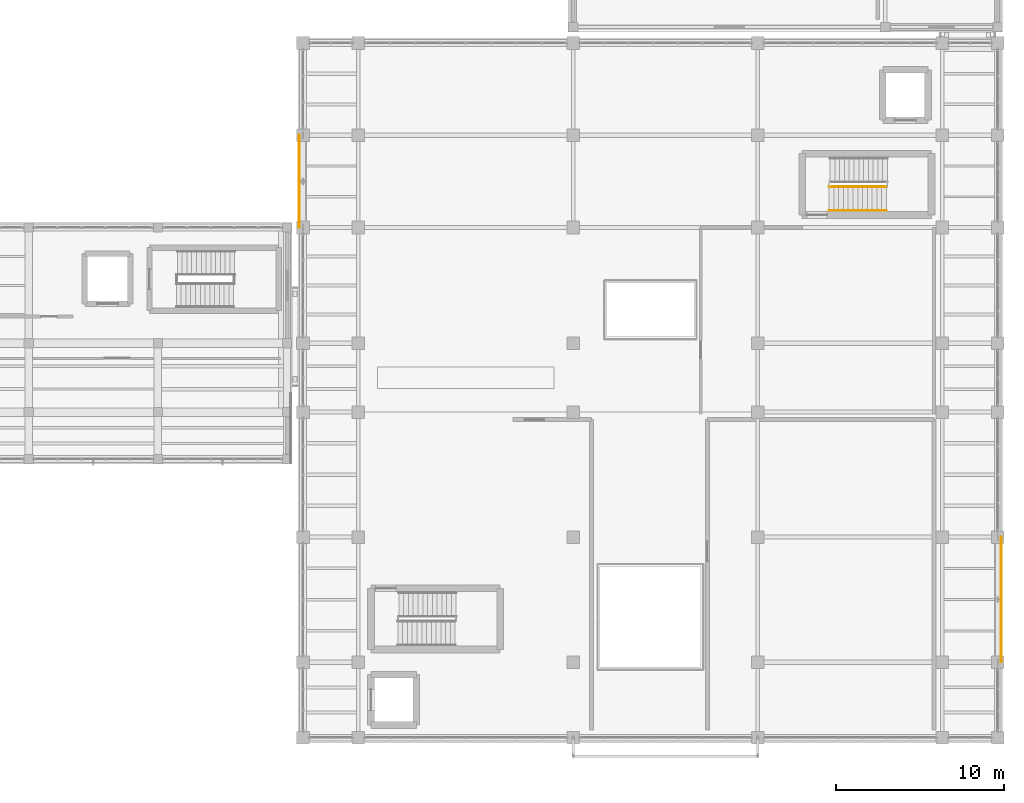
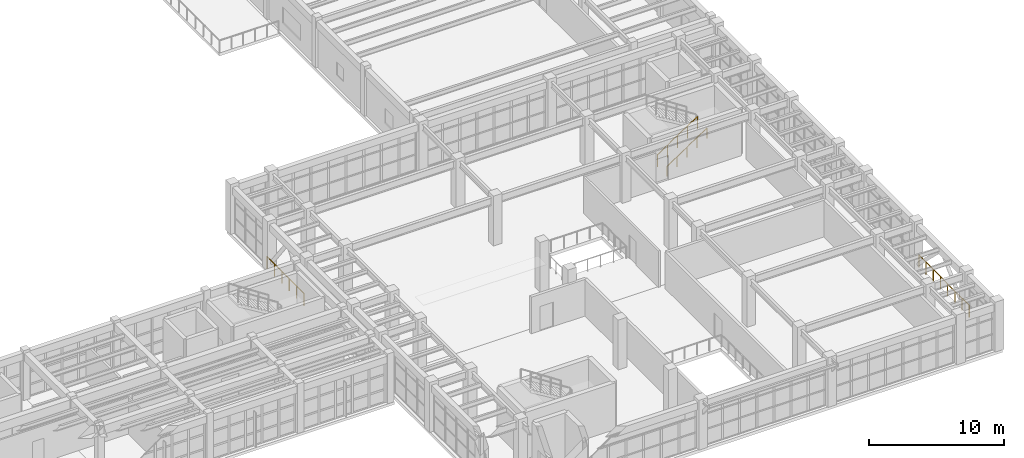
# One storey, part 81 of 85: 4 railings.
"""IFC4 building model written with IfcOpenShell, lengths in metres."""

from ifc_helpers import new_model, si_unit, direction, frame, origin, origin_2d, place, context, subcontext, project, spatial, circle, extrude, material, type_object, element, save


model = new_model("IFC4")

# Units and contexts
model_context = context("Model", 3, precision=1e-05, world=origin(), true_north=direction((0.0, 1.0)))
body_context = subcontext(model_context, "Body", "Model", "MODEL_VIEW")
ifc_project = project(units=[si_unit("LENGTHUNIT", "METRE"), si_unit("AREAUNIT", "SQUARE_METRE"), si_unit("VOLUMEUNIT", "CUBIC_METRE"), si_unit("PLANEANGLEUNIT", "RADIAN"), si_unit("MASSUNIT", "GRAM", prefix="KILO")], contexts=[model_context])

# Site, building, storey
site_placement = place(None, origin())
site = spatial("IfcSite", under=ifc_project, at=site_placement, CompositionType="ELEMENT")
building_placement = place(site_placement, origin())
building = spatial("IfcBuilding", under=site, at=building_placement, Name="Candilejo Ridge Gondola Terminal", CompositionType="ELEMENT")
storey_placement = place(building_placement, frame((0.0, 0.0, 4.5)))
storey = spatial("IfcBuildingStorey", under=building, at=storey_placement, Name="L01", CompositionType="ELEMENT", Elevation=4.5)

# Railings
ifc_material_1 = material(Name="Hot-dip galvanised steel ASTM A500 Grade B", Category="steel")
railing_type_1 = type_object("IfcRailingType", Name="ARC-GUARD-GLASS-1150", PredefinedType="GUARDRAIL", material=ifc_material_1)
railing_1_placement = place(storey_placement, frame((133.679931640625, 36.699951171875, 0.0)))
element("IfcRailing", 1, at=railing_1_placement, inside=storey, type_object=railing_type_1, Name="Deck edge guard GR-V4-L01-BRW", PredefinedType="GUARDRAIL", context=body_context, shape_type="SweptSolid", body=[
    extrude(circle(Radius=0.02392578125, at=origin_2d()), frame((0.0, 0.0, 1.076171875), z_axis=(0.0, 1.0, 0.0), x_axis=(-1.0, 0.0, 0.0)), (0.0, 0.0, 1.0), 5.5),
    extrude(circle(Radius=0.02099609375, at=origin_2d()), origin(), (0.0, 0.0, 1.0), 1.052001953125),
    extrude(circle(Radius=0.02099609375, at=origin_2d()), frame((0.0, 1.10009765625, 0.0)), (0.0, 0.0, 1.0), 1.052001953125),
    extrude(circle(Radius=0.02099609375, at=origin_2d()), frame((0.0, 2.199951171875, 0.0)), (0.0, 0.0, 1.0), 1.052001953125),
    extrude(circle(Radius=0.02099609375, at=origin_2d()), frame((0.0, 3.300048828125, 0.0)), (0.0, 0.0, 1.0), 1.052001953125),
    extrude(circle(Radius=0.02099609375, at=origin_2d()), frame((0.0, 4.39990234375, 0.0)), (0.0, 0.0, 1.0), 1.052001953125),
    extrude(circle(Radius=0.02099609375, at=origin_2d()), frame((0.0, 5.5, 0.0)), (0.0, 0.0, 1.0), 1.052001953125),
])
railing_2_placement = place(storey_placement, frame((175.52001953125, 10.800048828125, 0.0)))
element("IfcRailing", 2, at=railing_2_placement, inside=storey, type_object=railing_type_1, Name="Deck edge guard GR-V4-L01-BRE", PredefinedType="GUARDRAIL", context=body_context, shape_type="SweptSolid", body=[
    extrude(circle(Radius=0.02392578125, at=origin_2d()), frame((0.0, 0.0, 1.076171875), z_axis=(0.0, 1.0, 0.0), x_axis=(-1.0, 0.0, 0.0)), (0.0, 0.0, 1.0), 7.449951171875),
    extrude(circle(Radius=0.02099609375, at=origin_2d()), origin(), (0.0, 0.0, 1.0), 1.052001953125),
    extrude(circle(Radius=0.02099609375, at=origin_2d()), frame((0.0, 1.064208984375, 0.0)), (0.0, 0.0, 1.0), 1.052001953125),
    extrude(circle(Radius=0.02099609375, at=origin_2d()), frame((0.0, 2.128662109375, 0.0)), (0.0, 0.0, 1.0), 1.052001953125),
    extrude(circle(Radius=0.02099609375, at=origin_2d()), frame((0.0, 3.19287109375, 0.0)), (0.0, 0.0, 1.0), 1.052001953125),
    extrude(circle(Radius=0.02099609375, at=origin_2d()), frame((0.0, 4.257080078125, 0.0)), (0.0, 0.0, 1.0), 1.052001953125),
    extrude(circle(Radius=0.02099609375, at=origin_2d()), frame((0.0, 5.3212890625, 0.0)), (0.0, 0.0, 1.0), 1.052001953125),
    extrude(circle(Radius=0.02099609375, at=origin_2d()), frame((0.0, 6.3857421875, 0.0)), (0.0, 0.0, 1.0), 1.052001953125),
    extrude(circle(Radius=0.02099609375, at=origin_2d()), frame((0.0, 7.449951171875, 0.0)), (0.0, 0.0, 1.0), 1.052001953125),
])
ifc_material_2 = material(Name="Hot-dip galvanised steel ASTM A500 Grade B", Category="steel")
railing_type_2 = type_object("IfcRailingType", Name="ARC-STAIR-GUARD-1100", PredefinedType="GUARDRAIL", material=ifc_material_2)
railing_3_placement = place(storey_placement, frame((165.25, 39.135009765625, 0.0)))
element("IfcRailing", 3, at=railing_3_placement, inside=storey, type_object=railing_type_2, Name="Flight well guard ST-V4B-F03", PredefinedType="GUARDRAIL", context=body_context, shape_type="SweptSolid", body=[
    extrude(circle(Radius=0.02392578125, at=origin_2d()), frame((0.0, 0.0, 1.076171875), z_axis=(0.835411317272, 0.0, 0.549625264133), x_axis=(0.0, 1.0, 0.0)), (0.0, 0.0, 1.0), 4.09375),
    extrude(circle(Radius=0.02099609375, at=origin_2d()), origin(), (0.0, 0.0, 1.0), 1.052001953125),
    extrude(circle(Radius=0.02099609375, at=origin_2d()), frame((0.85498046875, 0.0, 0.5625)), (0.0, 0.0, 1.0), 1.052001953125),
    extrude(circle(Radius=0.02099609375, at=origin_2d()), frame((1.7099609375, 0.0, 1.125)), (0.0, 0.0, 1.0), 1.052001953125),
    extrude(circle(Radius=0.02099609375, at=origin_2d()), frame((2.56494140625, 0.0, 1.6875)), (0.0, 0.0, 1.0), 1.052001953125),
    extrude(circle(Radius=0.02099609375, at=origin_2d()), frame((3.419921875, 0.0, 2.25)), (0.0, 0.0, 1.0), 1.052001953125),
])
ifc_material_3 = material(Name="Brushed stainless steel AISI 316", Category="steel")
railing_type_3 = type_object("IfcRailingType", Name="ARC-STAIR-HANDRAIL-920", PredefinedType="HANDRAIL", material=ifc_material_3)
railing_4_placement = place(storey_placement, frame((165.25, 37.715087890625, 0.0)))
element("IfcRailing", 4, at=railing_4_placement, inside=storey, type_object=railing_type_3, Name="Wall handrail ST-V4B-F03", PredefinedType="HANDRAIL", context=body_context, shape_type="SweptSolid", body=[
    extrude(circle(Radius=0.02392578125, at=origin_2d()), frame((0.0, 0.0, 0.89599609375), z_axis=(0.835411317272, 0.0, 0.549625264133), x_axis=(0.0, 1.0, 0.0)), (0.0, 0.0, 1.0), 4.09375),
    extrude(circle(Radius=0.02099609375, at=origin_2d()), origin(), (0.0, 0.0, 1.0), 0.871826171875),
    extrude(circle(Radius=0.02099609375, at=origin_2d()), frame((0.85498046875, 0.0, 0.5625)), (0.0, 0.0, 1.0), 0.871826171875),
    extrude(circle(Radius=0.02099609375, at=origin_2d()), frame((1.7099609375, 0.0, 1.125)), (0.0, 0.0, 1.0), 0.871826171875),
    extrude(circle(Radius=0.02099609375, at=origin_2d()), frame((2.56494140625, 0.0, 1.6875)), (0.0, 0.0, 1.0), 0.871826171875),
    extrude(circle(Radius=0.02099609375, at=origin_2d()), frame((3.419921875, 0.0, 2.25)), (0.0, 0.0, 1.0), 0.871826171875),
])

save(model, "model.ifc")
